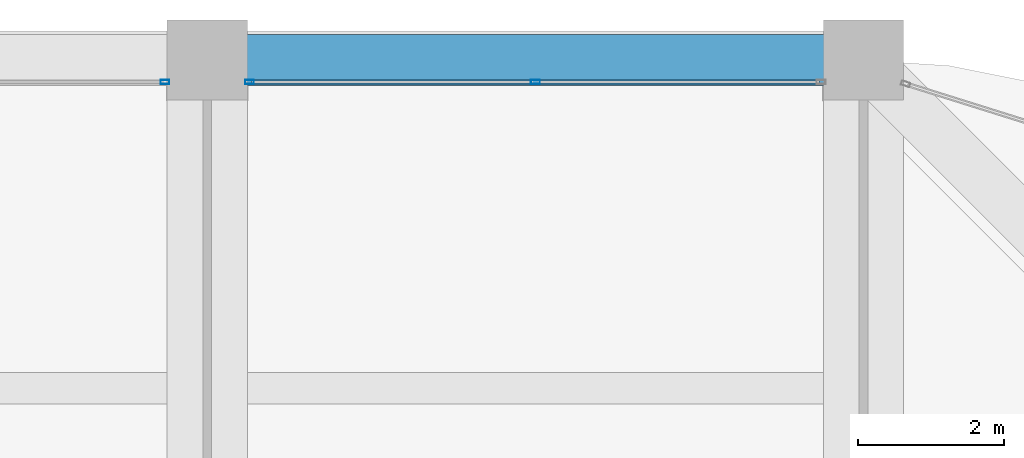
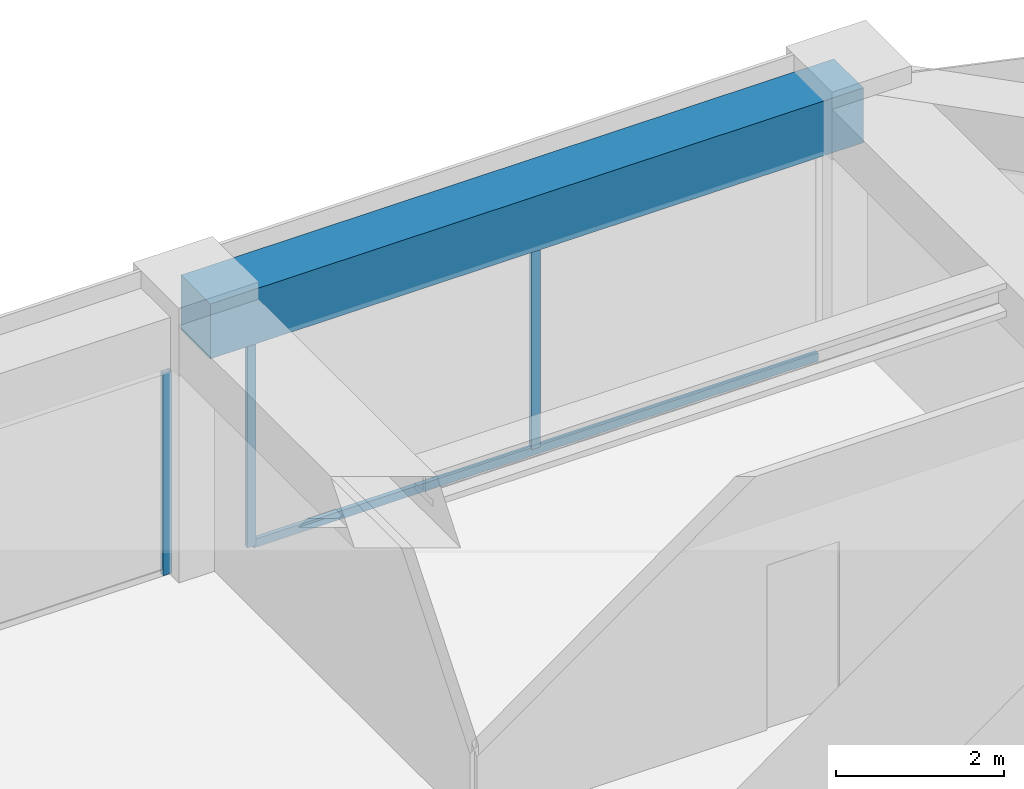
# One storey, part 35 of 44: 4 members, 1 beam, 2 elements without a shape of their own.
"""IFC4 building model written with IfcOpenShell, lengths in metres."""

from ifc_helpers import new_model, si_unit, direction, frame, origin, origin_2d, place, context, subcontext, project, spatial, rectangle, hollow_rectangle, extrude, material, material_profile, profile_set, type_object, element, aggregate, save


model = new_model("IFC4")

# Units and contexts
model_context = context("Model", 3, precision=1e-05, world=origin(), true_north=direction((0.0, 1.0)))
body_context = subcontext(model_context, "Body", "Model", "MODEL_VIEW")
ifc_project = project(units=[si_unit("LENGTHUNIT", "METRE"), si_unit("AREAUNIT", "SQUARE_METRE"), si_unit("VOLUMEUNIT", "CUBIC_METRE"), si_unit("PLANEANGLEUNIT", "RADIAN"), si_unit("MASSUNIT", "GRAM", prefix="KILO")], contexts=[model_context])

# Site, building, storey
site_placement = place(None, origin())
site = spatial("IfcSite", under=ifc_project, at=site_placement, CompositionType="ELEMENT")
building_placement = place(site_placement, origin())
building = spatial("IfcBuilding", under=site, at=building_placement, Name="Zorevar Civic Tower", CompositionType="ELEMENT")
storey_placement = place(building_placement, frame((0.0, 0.0, 299.39990234375)))
storey = spatial("IfcBuildingStorey", under=building, at=storey_placement, Name="L73", CompositionType="ELEMENT", Elevation=299.39990234375)

# Curtain wall, member
ifc_material_1 = material(Name="Dark grey solar-control glass in black aluminium frame", Category="aluminium")
curtain_wall_type = type_object("IfcCurtainWallType", Name="Curtain wall CW5 top zone", PredefinedType="NOTDEFINED", material=ifc_material_1)
curtain_wall_1_placement = place(storey_placement, origin())
curtain_wall_1 = element("IfcCurtainWall", 1, at=curtain_wall_1_placement, inside=storey, type_object=curtain_wall_type, Name="CW5 L73", PredefinedType="NOTDEFINED")
ifc_material_2 = material(Name="Aluminium, black anodised", Category="aluminium")
ifc_material_profile_1 = material_profile(ifc_material_2, hollow_rectangle(XDim=0.06005859375, YDim=0.1201171875, WallThickness=0.0029296875, at=origin_2d()), Name="AL 120x60x3")
ifc_profile_set_1 = profile_set([ifc_material_profile_1], Name="Aluminium, black anodised")
member_type_1 = type_object("IfcMemberType", Name="CW5 mullion AL 120x60x3", PredefinedType="MULLION", material=ifc_profile_set_1)
member_1_placement = place(storey_placement, frame((35.419921875, 44.699951171875, 0.0), z_axis=(0.0, 0.0, 1.0), x_axis=(0.0, 1.0, 0.0)))
member_1 = element("IfcMember", 2, at=member_1_placement, type_object=member_type_1, Name="CW5 mullion 3", PredefinedType="MULLION", context=body_context, shape_type="SweptSolid", body=[
    extrude(hollow_rectangle(XDim=0.06005859375, YDim=0.1201171875, WallThickness=0.0029296875, at=origin_2d()), origin(), (0.0, 0.0, 1.0), 2.9501953125),
])
aggregate(curtain_wall_1, [member_1])

# Curtain wall, members
curtain_wall_2_placement = place(storey_placement, origin())
curtain_wall_2 = element("IfcCurtainWall", 3, at=curtain_wall_2_placement, inside=storey, type_object=curtain_wall_type, Name="CW5 L73", PredefinedType="NOTDEFINED")
member_2_placement = place(storey_placement, frame((36.580078125, 44.699951171875, 0.0), z_axis=(0.0, 0.0, 1.0), x_axis=(0.0, 1.0, 0.0)))
member_2 = element("IfcMember", 4, at=member_2_placement, type_object=member_type_1, Name="CW5 mullion 1", PredefinedType="MULLION", context=body_context, shape_type="SweptSolid", body=[
    extrude(hollow_rectangle(XDim=0.06005859375, YDim=0.1201171875, WallThickness=0.0029296875, at=origin_2d()), origin(), (0.0, 0.0, 1.0), 2.9501953125),
])
member_3_placement = place(storey_placement, frame((40.5, 44.699951171875, 0.06005859375), z_axis=(0.0, 0.0, 1.0), x_axis=(0.0, 1.0, 0.0)))
member_3 = element("IfcMember", 5, at=member_3_placement, type_object=member_type_1, Name="CW5 mullion 2", PredefinedType="MULLION", context=body_context, shape_type="SweptSolid", body=[
    extrude(hollow_rectangle(XDim=0.06005859375, YDim=0.1201171875, WallThickness=0.0029296875, at=origin_2d()), origin(), (0.0, 0.0, 1.0), 2.89013671875),
])
ifc_material_3 = material(Name="Aluminium, black anodised", Category="aluminium")
ifc_material_profile_2 = material_profile(ifc_material_3, hollow_rectangle(XDim=0.06005859375, YDim=0.1201171875, WallThickness=0.0029296875, at=origin_2d()), Name="AL 120x60x3")
ifc_profile_set_2 = profile_set([ifc_material_profile_2], Name="Aluminium, black anodised")
member_type_2 = type_object("IfcMemberType", Name="CW5 transom AL 120x60x3", PredefinedType="USERDEFINED", material=ifc_profile_set_2)
member_4_placement = place(storey_placement, frame((36.610107421875, 44.699951171875, 0.030029296875), z_axis=(1.0, 0.0, 0.0), x_axis=(0.0, 1.0, 0.0)))
member_4 = element("IfcMember", 6, at=member_4_placement, type_object=member_type_2, Name="CW5 sill transom", ObjectType="TRANSOM", PredefinedType="USERDEFINED", context=body_context, shape_type="SweptSolid", body=[
    extrude(hollow_rectangle(XDim=0.06005859375, YDim=0.1201171875, WallThickness=0.0029296875, at=origin_2d()), origin(), (0.0, 0.0, 1.0), 7.77978515625),
])
aggregate(curtain_wall_2, [member_2, member_3, member_4])

# Beam
ifc_material_4 = material(Name="Concrete C50/60", Category="concrete")
ifc_material_profile_3 = material_profile(ifc_material_4, rectangle(XDim=0.699951171875, YDim=0.800048828125, at=origin_2d()), Name="RC 700x800")
ifc_profile_set_3 = profile_set([ifc_material_profile_3], Name="Concrete C50/60")
beam_type = type_object("IfcBeamType", Name="Edge beam RC 700x800", PredefinedType="SPANDREL", material=ifc_profile_set_3)
beam_placement = place(storey_placement, frame((36.0, 45.0, 3.35009765625), z_axis=(1.0, 0.0, 0.0), x_axis=(0.0, 1.0, 0.0)))
element("IfcBeam", 7, at=beam_placement, inside=storey, type_object=beam_type, Name="Edge beam L74", PredefinedType="SPANDREL", context=body_context, shape_type="SweptSolid", body=[
    extrude(rectangle(XDim=0.699951171875, YDim=0.800048828125, at=origin_2d()), origin(), (0.0, 0.0, 1.0), 9.0),
])

save(model, "model.ifc")
